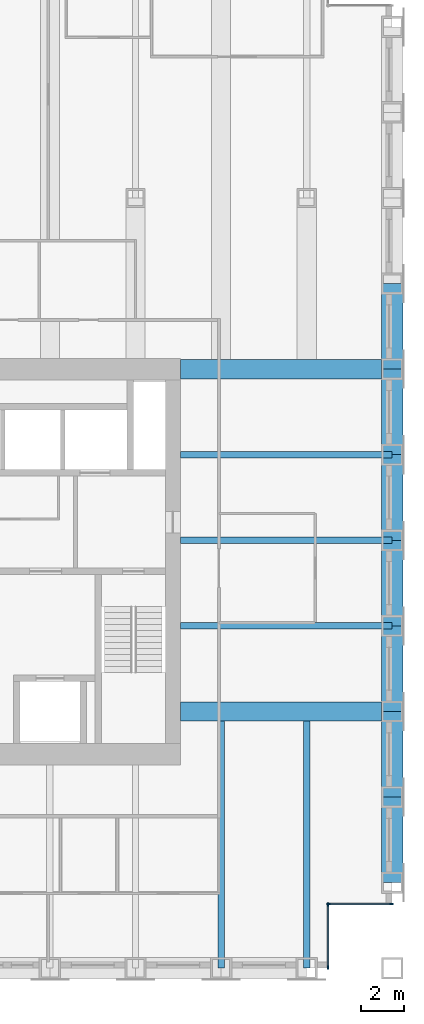
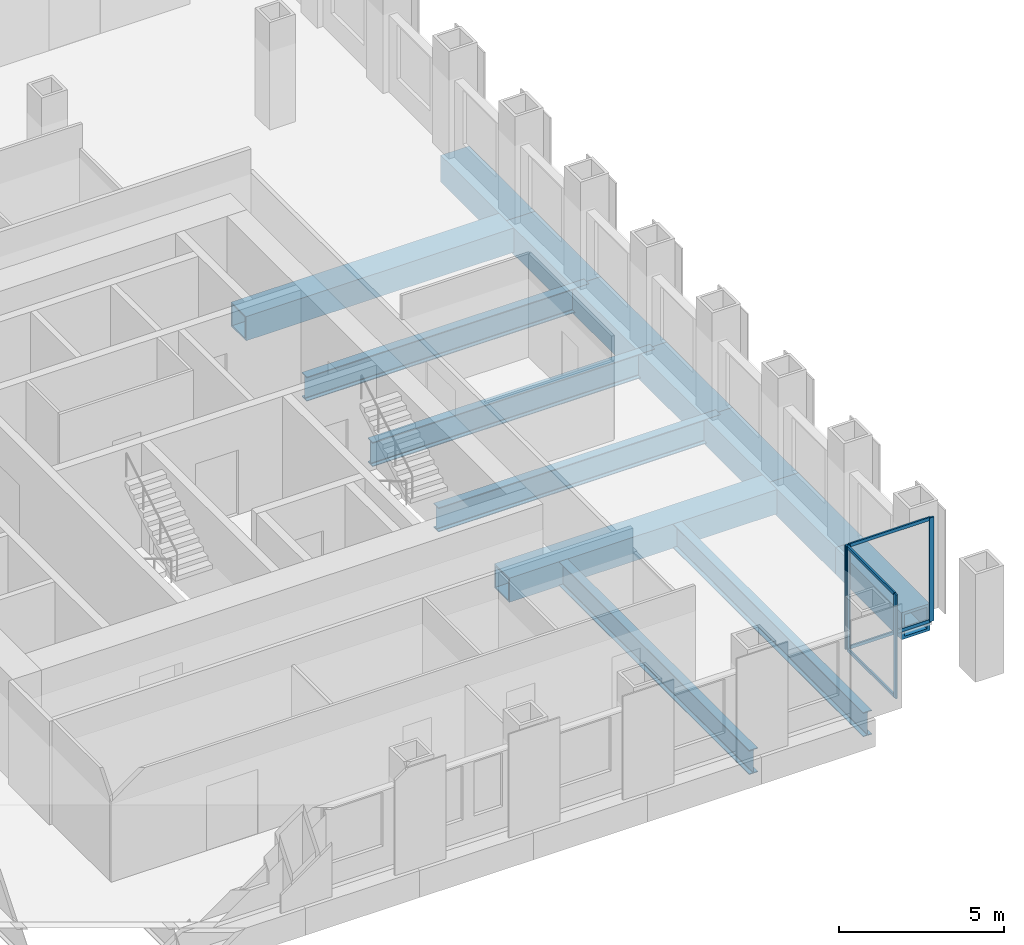
# One storey, part 4 of 13: 14 beams, 8 members, 2 elements without a shape of their own.
"""IFC4 building model written with IfcOpenShell, lengths in metres."""

from ifc_helpers import new_model, si_unit, direction, frame, origin, origin_2d, place, context, subcontext, project, spatial, rectangle, hollow_rectangle, i_section, extrude, material, material_profile, profile_set, type_object, element, aggregate, save


model = new_model("IFC4")

# Units and contexts
model_context = context("Model", 3, precision=1e-05, world=origin(), true_north=direction((0.0, 1.0)))
body_context = subcontext(model_context, "Body", "Model", "MODEL_VIEW")
ifc_project = project(units=[si_unit("LENGTHUNIT", "METRE"), si_unit("AREAUNIT", "SQUARE_METRE"), si_unit("VOLUMEUNIT", "CUBIC_METRE"), si_unit("PLANEANGLEUNIT", "RADIAN"), si_unit("MASSUNIT", "GRAM", prefix="KILO")], contexts=[model_context])

# Site, building, storey
site_placement = place(None, origin())
site = spatial("IfcSite", under=ifc_project, at=site_placement, CompositionType="ELEMENT")
building_placement = place(site_placement, origin())
building = spatial("IfcBuilding", under=site, at=building_placement, Name="Rimbunsela Tower", CompositionType="ELEMENT")
storey_placement = place(building_placement, frame((0.0, 0.0, 187.800048828125)))
storey = spatial("IfcBuildingStorey", under=building, at=storey_placement, Name="L45", CompositionType="ELEMENT", Elevation=187.800048828125)

# Beams
ifc_material_1 = material(Name="Steel BJ 55 (fy 410 MPa)", Category="steel")
ifc_material_profile_1 = material_profile(ifc_material_1, hollow_rectangle(XDim=1.0, YDim=1.0, WallThickness=0.10009765625, at=origin_2d()), Name="BOX 1000x1000x100")
ifc_profile_set_1 = profile_set([ifc_material_profile_1], Name="Steel BJ 55 (fy 410 MPa)")
beam_type_1 = type_object("IfcBeamType", Name="Beam BOX 1000x1000x100", PredefinedType="BEAM", material=ifc_profile_set_1)
for number, where, z_axis, x_axis, name in (
    (1, (46.0, 12.0, -0.650146484375), (0.0, 1.0, 0.0), (-1.0, 0.0, 0.0), "Beam B3 L45"),
    (2, (46.0, 16.0, -0.650146484375), (0.0, 1.0, 0.0), (-1.0, 0.0, 0.0), "Beam B3 L45"),
    (3, (46.0, 20.0, -0.650146484375), (0.0, 1.0, 0.0), (-1.0, 0.0, 0.0), "Beam B3 L45"),
    (4, (46.0, 24.0, -0.650146484375), (0.0, 1.0, 0.0), (-1.0, 0.0, 0.0), "Beam B3 L45"),
    (5, (46.0, 28.0, -0.650146484375), (0.0, 1.0, 0.0), (-1.0, 0.0, 0.0), "Beam B3 L45"),
    (6, (46.0, 32.0, -0.650146484375), (0.0, 1.0, 0.0), (-1.0, 0.0, 0.0), "Beam B3 L45"),
    (7, (46.0, 36.0, -0.650146484375), (0.0, 1.0, 0.0), (-1.0, 0.0, 0.0), "Beam B3 L45"),
):
    element("IfcBeam", number, at=place(storey_placement, frame(where, z_axis=z_axis, x_axis=x_axis)), inside=storey, type_object=beam_type_1, Name=name, PredefinedType="BEAM", context=body_context, shape_type="SweptSolid", body=[
        extrude(hollow_rectangle(XDim=1.0, YDim=1.0, WallThickness=0.10009765625, at=origin_2d()), origin(), (0.0, 0.0, 1.0), 4.0),
    ])
ifc_material_2 = material(Name="Steel BJ 55 (fy 410 MPa)", Category="steel")
ifc_material_profile_2 = material_profile(ifc_material_2, hollow_rectangle(XDim=0.89990234375, YDim=0.89990234375, WallThickness=0.06005859375, at=origin_2d()), Name="BOX 900x900x60")
ifc_profile_set_2 = profile_set([ifc_material_profile_2], Name="Steel BJ 55 (fy 410 MPa)")
beam_type_2 = type_object("IfcBeamType", Name="Beam BOX 900x900x60", PredefinedType="BEAM", material=ifc_profile_set_2)
for number, where, z_axis, x_axis, name in (
    (8, (36.10009765625, 20.0, -0.60009765625), (1.0, 0.0, 0.0), (0.0, 1.0, 0.0), "Beam B1 L45"),
    (9, (36.10009765625, 36.0, -0.60009765625), (1.0, 0.0, 0.0), (0.0, 1.0, 0.0), "Beam B1 L45"),
):
    element("IfcBeam", number, at=place(storey_placement, frame(where, z_axis=z_axis, x_axis=x_axis)), inside=storey, type_object=beam_type_2, Name=name, PredefinedType="BEAM", context=body_context, shape_type="SweptSolid", body=[
        extrude(hollow_rectangle(XDim=0.89990234375, YDim=0.89990234375, WallThickness=0.06005859375, at=origin_2d()), origin(), (0.0, 0.0, 1.0), 9.89990234375),
    ])
ifc_material_3 = material(Name="Steel BJ 55 (fy 410 MPa)", Category="steel")
ifc_material_profile_3 = material_profile(ifc_material_3, i_section(OverallWidth=0.300048828125, OverallDepth=0.89990234375, WebThickness=0.01611328125, FlangeThickness=0.028076171875, FilletRadius=0.028076171875, at=origin_2d()), Name="H 900x300x16x28")
ifc_profile_set_3 = profile_set([ifc_material_profile_3], Name="Steel BJ 55 (fy 410 MPa)")
beam_type_3 = type_object("IfcBeamType", Name="Beam H 900x300x16x28", PredefinedType="BEAM", material=ifc_profile_set_3)
for number, where, z_axis, x_axis, name in (
    (10, (36.10009765625, 24.0, -0.60009765625), (1.0, 0.0, 0.0), (0.0, 1.0, 0.0), "Beam B2 L45"),
    (11, (36.10009765625, 28.0, -0.60009765625), (1.0, 0.0, 0.0), (0.0, 1.0, 0.0), "Beam B2 L45"),
    (12, (36.10009765625, 32.0, -0.60009765625), (1.0, 0.0, 0.0), (0.0, 1.0, 0.0), "Beam B2 L45"),
):
    element("IfcBeam", number, at=place(storey_placement, frame(where, z_axis=z_axis, x_axis=x_axis)), inside=storey, type_object=beam_type_3, Name=name, PredefinedType="BEAM", context=body_context, shape_type="SweptSolid", body=[
        extrude(i_section(OverallWidth=0.300048828125, OverallDepth=0.89990234375, WebThickness=0.01611328125, FlangeThickness=0.028076171875, FilletRadius=0.028076171875, at=origin_2d()), origin(), (0.0, 0.0, 1.0), 9.89990234375),
    ])
for number, where, z_axis, x_axis, name in (
    (13, (38.0, 8.0, -0.60009765625), (0.0, 1.0, 0.0), (-1.0, 0.0, 0.0), "Beam B2 L45"),
    (14, (42.0, 8.0, -0.60009765625), (0.0, 1.0, 0.0), (-1.0, 0.0, 0.0), "Beam B2 L45"),
):
    element("IfcBeam", number, at=place(storey_placement, frame(where, z_axis=z_axis, x_axis=x_axis)), inside=storey, type_object=beam_type_3, Name=name, PredefinedType="BEAM", context=body_context, shape_type="SweptSolid", body=[
        extrude(i_section(OverallWidth=0.300048828125, OverallDepth=0.89990234375, WebThickness=0.01611328125, FlangeThickness=0.028076171875, FilletRadius=0.028076171875, at=origin_2d()), origin(), (0.0, 0.0, 1.0), 11.550048828125),
    ])

# Curtain wall, members
ifc_material_4 = material(Name="Aluminium curtain wall", Category="aluminium")
curtain_wall_type = type_object("IfcCurtainWallType", Name="Corner glazing", PredefinedType="USERDEFINED", material=ifc_material_4)
curtain_wall_1_placement = place(storey_placement, origin())
curtain_wall_1 = element("IfcCurtainWall", 15, at=curtain_wall_1_placement, inside=storey, type_object=curtain_wall_type, Name="Corner glazing L45", ObjectType="CORNER GLAZING", PredefinedType="USERDEFINED")
ifc_material_5 = material(Name="Aluminium mullion", Category="aluminium")
ifc_material_profile_4 = material_profile(ifc_material_5, rectangle(XDim=0.06005859375, YDim=0.159912109375, at=origin_2d()), Name="Mullion 60x160")
ifc_profile_set_4 = profile_set([ifc_material_profile_4], Name="Aluminium mullion")
member_type_1 = type_object("IfcMemberType", Name="Curtain wall mullion 60x160", PredefinedType="MULLION", material=ifc_profile_set_4)
member_1_placement = place(storey_placement, frame((43.0, 8.030029296875, 0.0), z_axis=(0.0, 0.0, 1.0), x_axis=(-1.0, 0.0, 0.0)))
member_1 = element("IfcMember", 16, at=member_1_placement, type_object=member_type_1, Name="CW5 mullion 1", PredefinedType="MULLION", context=body_context, shape_type="SweptSolid", body=[
    extrude(rectangle(XDim=0.06005859375, YDim=0.159912109375, at=origin_2d()), origin(), (0.0, 0.0, 1.0), 3.849853515625),
])
member_2_placement = place(storey_placement, frame((43.0, 10.969970703125, 0.0), z_axis=(0.0, 0.0, 1.0), x_axis=(-1.0, 0.0, 0.0)))
member_2 = element("IfcMember", 17, at=member_2_placement, type_object=member_type_1, Name="CW5 mullion 2", PredefinedType="MULLION", context=body_context, shape_type="SweptSolid", body=[
    extrude(rectangle(XDim=0.06005859375, YDim=0.159912109375, at=origin_2d()), origin(), (0.0, 0.0, 1.0), 3.849853515625),
])

curtain_wall_2_placement = place(storey_placement, origin())
curtain_wall_2 = element("IfcCurtainWall", 18, at=curtain_wall_2_placement, inside=storey, type_object=curtain_wall_type, Name="Corner glazing L45", ObjectType="CORNER GLAZING", PredefinedType="USERDEFINED")
member_3_placement = place(storey_placement, frame((43.030029296875, 11.0, 0.0), z_axis=(0.0, 0.0, 1.0), x_axis=(0.0, 1.0, 0.0)))
member_3 = element("IfcMember", 19, at=member_3_placement, type_object=member_type_1, Name="CW5 mullion 1", PredefinedType="MULLION", context=body_context, shape_type="SweptSolid", body=[
    extrude(rectangle(XDim=0.06005859375, YDim=0.159912109375, at=origin_2d()), origin(), (0.0, 0.0, 1.0), 3.849853515625),
])
member_4_placement = place(storey_placement, frame((45.969970703125, 11.0, 0.0), z_axis=(0.0, 0.0, 1.0), x_axis=(0.0, 1.0, 0.0)))
member_4 = element("IfcMember", 20, at=member_4_placement, type_object=member_type_1, Name="CW5 mullion 2", PredefinedType="MULLION", context=body_context, shape_type="SweptSolid", body=[
    extrude(rectangle(XDim=0.06005859375, YDim=0.159912109375, at=origin_2d()), origin(), (0.0, 0.0, 1.0), 3.849853515625),
])

# Member
ifc_material_6 = material(Name="Aluminium transom", Category="aluminium")
ifc_material_profile_5 = material_profile(ifc_material_6, rectangle(XDim=0.06005859375, YDim=0.1201171875, at=origin_2d()), Name="Transom 60x120")
ifc_profile_set_5 = profile_set([ifc_material_profile_5], Name="Aluminium transom")
member_type_2 = type_object("IfcMemberType", Name="Curtain wall transom 60x120", PredefinedType="USERDEFINED", material=ifc_profile_set_5)
member_5_placement = place(storey_placement, frame((43.0, 8.06005859375, 0.030029296875), z_axis=(0.0, 1.0, 0.0), x_axis=(-1.0, 0.0, 0.0)))
member_5 = element("IfcMember", 21, at=member_5_placement, type_object=member_type_2, Name="CW5 transom 1.1", ObjectType="TRANSOM", PredefinedType="USERDEFINED", context=body_context, shape_type="SweptSolid", body=[
    extrude(rectangle(XDim=0.06005859375, YDim=0.1201171875, at=origin_2d()), origin(), (0.0, 0.0, 1.0), 2.8798828125),
])

member_6_placement = place(storey_placement, frame((43.0, 8.06005859375, 3.820068359375), z_axis=(0.0, 1.0, 0.0), x_axis=(-1.0, 0.0, 0.0)))
member_6 = element("IfcMember", 22, at=member_6_placement, type_object=member_type_2, Name="CW5 transom 1.2", ObjectType="TRANSOM", PredefinedType="USERDEFINED", context=body_context, shape_type="SweptSolid", body=[
    extrude(rectangle(XDim=0.06005859375, YDim=0.1201171875, at=origin_2d()), origin(), (0.0, 0.0, 1.0), 2.8798828125),
])

aggregate(curtain_wall_1, [member_1, member_2, member_5, member_6])

member_7_placement = place(storey_placement, frame((43.06005859375, 11.0, 0.030029296875), z_axis=(1.0, 0.0, 0.0), x_axis=(0.0, 1.0, 0.0)))
member_7 = element("IfcMember", 23, at=member_7_placement, type_object=member_type_2, Name="CW5 transom 1.1", ObjectType="TRANSOM", PredefinedType="USERDEFINED", context=body_context, shape_type="SweptSolid", body=[
    extrude(rectangle(XDim=0.06005859375, YDim=0.1201171875, at=origin_2d()), origin(), (0.0, 0.0, 1.0), 2.8798828125),
])

member_8_placement = place(storey_placement, frame((43.06005859375, 11.0, 3.820068359375), z_axis=(1.0, 0.0, 0.0), x_axis=(0.0, 1.0, 0.0)))
member_8 = element("IfcMember", 24, at=member_8_placement, type_object=member_type_2, Name="CW5 transom 1.2", ObjectType="TRANSOM", PredefinedType="USERDEFINED", context=body_context, shape_type="SweptSolid", body=[
    extrude(rectangle(XDim=0.06005859375, YDim=0.1201171875, at=origin_2d()), origin(), (0.0, 0.0, 1.0), 2.8798828125),
])

aggregate(curtain_wall_2, [member_3, member_4, member_7, member_8])

save(model, "model.ifc")
